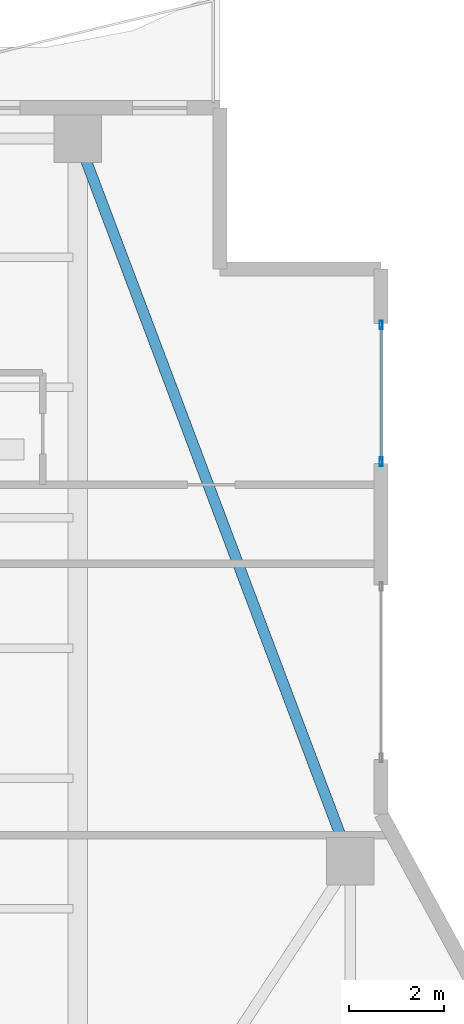
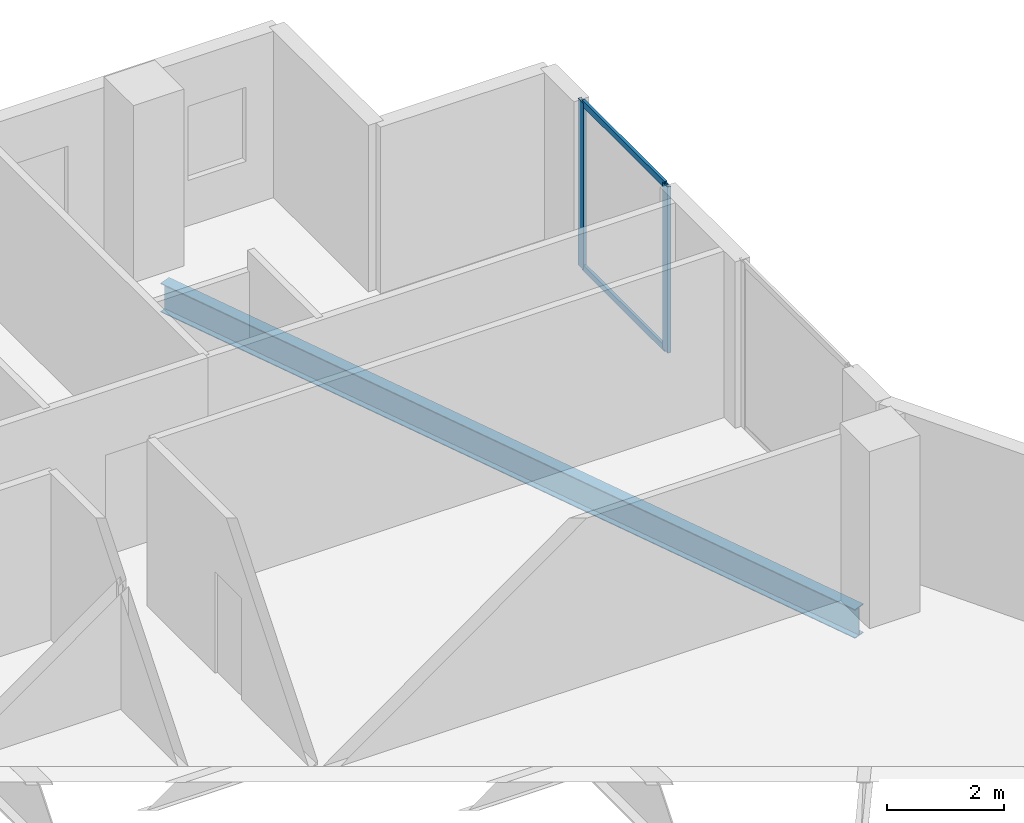
# One storey, part 15 of 23: 4 members, 1 beam, 1 element without a shape of its own.
"""IFC4 building model written with IfcOpenShell, lengths in metres."""

import ifcopenshell
import ifcopenshell.guid

model = None  # the IFC model being written
_history = None  # IfcOwnerHistory: only IFC2X3 demands one
_inside = {}  # id of a spatial element -> (the spatial element, [elements in it])
_under = {}  # id of a project, library or spatial element -> (it, [spatial elements below it])
_declared = {}  # id of a project -> (the project, [libraries it declares])
_typed = {}  # id of a type object -> (the type object, [elements of that type])
_made_of = {}  # id of a material, layer set ... -> (it, [elements and type objects made of it])


def new_model(schema):
    """Start an empty IFC model of exactly this schema.

    Asked for "IFC4X3", IfcOpenShell would pick the latest addendum, in which some entities
    have other attributes; the version numbers below select the first issue.
    IFC2X3 requires an IfcOwnerHistory on every rooted entity: one is made here for all.
    """
    global model, _history
    if schema == "IFC4X3":
        model = ifcopenshell.file(schema_version=(4, 3, 0, 0))
    else:
        model = ifcopenshell.file(schema=schema)
    _inside.clear()
    _under.clear()
    _declared.clear()
    _typed.clear()
    _made_of.clear()
    _history = None
    if model.schema == "IFC2X3":
        org = make("IfcOrganization", Name="unknown")
        user = make(
            "IfcPersonAndOrganization",
            ThePerson=make("IfcPerson", FamilyName="unknown"),
            TheOrganization=org,
        )
        app = make(
            "IfcApplication",
            ApplicationDeveloper=org,
            Version="unknown",
            ApplicationFullName="unknown",
            ApplicationIdentifier="unknown",
        )
        _history = make(
            "IfcOwnerHistory",
            OwningUser=user,
            OwningApplication=app,
            ChangeAction="ADDED",
            CreationDate=0,
        )
    return model


def make(cls, **values):
    """One entity of the class cls with the attributes given. An attribute that is None is left unset."""
    return model.create_entity(
        cls, **{name: value for name, value in values.items() if value is not None}
    )


def rooted(cls, **values):
    """An entity with a GlobalId (a new one), such as an element, a storey or a relation."""
    return make(cls, GlobalId=ifcopenshell.guid.new(), OwnerHistory=_history, **values)


def si_unit(unit_type, name, prefix=None):
    """IfcSIUnit, for example si_unit("LENGTHUNIT", "METRE", prefix="MILLI")."""
    return make("IfcSIUnit", UnitType=unit_type, Prefix=prefix, Name=name)


def assignment(units):
    """IfcUnitAssignment: the units of a project."""
    return None if units is None else make("IfcUnitAssignment", Units=units)


def point(xyz):
    """IfcCartesianPoint."""
    return None if xyz is None else make("IfcCartesianPoint", Coordinates=xyz)


def direction(xyz):
    """IfcDirection."""
    return None if xyz is None else make("IfcDirection", DirectionRatios=xyz)


def frame(location, z_axis=None, x_axis=None):
    """IfcAxis2Placement3D, a coordinate frame: its origin and axes. An axis left out is left unset."""
    return make(
        "IfcAxis2Placement3D",
        Location=point(location),
        Axis=direction(z_axis),
        RefDirection=direction(x_axis),
    )


def frame_2d(location, x_axis=None):
    """IfcAxis2Placement2D, a coordinate frame in the plane: its origin and x axis."""
    return make(
        "IfcAxis2Placement2D", Location=point(location), RefDirection=direction(x_axis)
    )


def origin():
    """The frame at (0, 0, 0) with its axes left unset."""
    return frame((0.0, 0.0, 0.0))


def origin_2d():
    """The frame at (0, 0) in the plane with its x axis left unset."""
    return frame_2d((0.0, 0.0))


def place(relative_to, where):
    """IfcLocalPlacement: puts the frame where relative to a parent placement (None: the world)."""
    return make(
        "IfcLocalPlacement", PlacementRelTo=relative_to, RelativePlacement=where
    )


def context(
    kind, dimensions, precision=None, world=None, true_north=None, identifier=None
):
    """IfcGeometricRepresentationContext, for example the 3D "Model" context."""
    return make(
        "IfcGeometricRepresentationContext",
        ContextIdentifier=identifier,
        ContextType=kind,
        CoordinateSpaceDimension=dimensions,
        Precision=precision,
        WorldCoordinateSystem=world,
        TrueNorth=true_north,
    )


def subcontext(parent, identifier, kind, view, scale=None):
    """IfcGeometricRepresentationSubContext, for example "Body" below "Model"."""
    return make(
        "IfcGeometricRepresentationSubContext",
        ContextIdentifier=identifier,
        ContextType=kind,
        ParentContext=parent,
        TargetScale=scale,
        TargetView=view,
    )


def project(units=None, contexts=None):
    """IfcProject with its units and contexts."""
    return rooted(
        "IfcProject",
        Name="project",
        RepresentationContexts=contexts,
        UnitsInContext=assignment(units),
    )


def spatial(cls, under=None, at=None, **own):
    """A site, building, storey or space (cls), placed at a placement, below another one or the project."""
    s = rooted(cls, ObjectPlacement=at, **own)
    if under is not None:
        _under.setdefault(under.id(), (under, []))[1].append(s)
    return s


def profile(cls, at=None, kind="AREA", **sizes):
    """A parametric profile (cls). Its sizes go by their IFC names, for example OverallWidth=200.0."""
    return make(cls, ProfileType=kind, Position=at, **sizes)


def hollow_rectangle(**sizes):
    """IfcRectangleHollowProfileDef."""
    return profile("IfcRectangleHollowProfileDef", **sizes)


def i_section(**sizes):
    """IfcIShapeProfileDef."""
    return profile("IfcIShapeProfileDef", **sizes)


def extrude(swept, where, along, depth):
    """IfcExtrudedAreaSolid: the profile swept, set in the frame where, extruded along a direction by depth."""
    return make(
        "IfcExtrudedAreaSolid",
        SweptArea=swept,
        Position=where,
        ExtrudedDirection=direction(along),
        Depth=depth,
    )


def shape(context_of_items, identifier, shape_type, items):
    """IfcShapeRepresentation: the items that make up one representation, for example the "Body"."""
    return make(
        "IfcShapeRepresentation",
        ContextOfItems=context_of_items,
        RepresentationIdentifier=identifier,
        RepresentationType=shape_type,
        Items=items,
    )


def material(Name=None, Category=None):
    """IfcMaterial."""
    return make("IfcMaterial", Name=Name, Category=Category)


def layer(
    of_material, thickness, ventilated=None, Name=None, Category=None, Priority=None
):
    """IfcMaterialLayer: one layer of a wall or slab, of a material (None: an air gap)."""
    return make(
        "IfcMaterialLayer",
        Material=of_material,
        LayerThickness=thickness,
        IsVentilated=ventilated,
        Name=Name,
        Category=Category,
        Priority=Priority,
    )


def layer_set(layers, Name=None):
    """IfcMaterialLayerSet."""
    return make("IfcMaterialLayerSet", MaterialLayers=layers, LayerSetName=Name)


def material_profile(
    of_material, cross_section, Name=None, Category=None, Priority=None
):
    """IfcMaterialProfile: a cross section and its material."""
    return make(
        "IfcMaterialProfile",
        Name=Name,
        Material=of_material,
        Profile=cross_section,
        Priority=Priority,
        Category=Category,
    )


def profile_set(profiles, Name=None, composite=None):
    """IfcMaterialProfileSet."""
    return make(
        "IfcMaterialProfileSet",
        Name=Name,
        MaterialProfiles=profiles,
        CompositeProfile=composite,
    )


def made_of(thing, what):
    """Note that an element or type object is made of a material, layer set ...; save() writes the relation."""
    if what is not None:
        _made_of.setdefault(what.id(), (what, []))[1].append(thing)
    return thing


def type_object(cls, material=None, **own):
    """A type object (cls), such as IfcWallType, which elements share."""
    return made_of(rooted(cls, **own), material)


def element(
    cls,
    number,
    at=None,
    inside=None,
    cuts=None,
    type_object=None,
    material=None,
    context=None,
    identifier="Body",
    shape_type=None,
    held_by="IfcProductDefinitionShape",
    body=None,
    shapes=None,
    **own,
):
    """One element of the class cls, such as IfcWall. Its Tag is "e" and its number.

    at: its placement. inside: the storey or other place that contains it. cuts: it is an
    opening in that element (IfcRelVoidsElement). A single representation is given by context,
    identifier, shape_type and body (its items); several are given by shapes. held_by: the class
    of the entity that holds the representations. save() writes the other relations.
    """
    e = rooted(cls, Tag="e%d" % number, ObjectPlacement=at, **own)
    if body is not None:
        shapes = [shape(context, identifier, shape_type, body)]
    if shapes is not None:
        e.Representation = make(held_by, Representations=shapes)
    if inside is not None:
        _inside.setdefault(inside.id(), (inside, []))[1].append(e)
    if cuts is not None:
        rooted(
            "IfcRelVoidsElement", RelatingBuildingElement=cuts, RelatedOpeningElement=e
        )
    if type_object is not None:
        _typed.setdefault(type_object.id(), (type_object, []))[1].append(e)
    return made_of(e, material)


def aggregate(whole, parts):
    """IfcRelAggregates: a whole, such as a stair, and the parts it consists of."""
    return rooted("IfcRelAggregates", RelatingObject=whole, RelatedObjects=parts)


def save(model, path):
    """Write the relations noted so far, then the file.

    IfcRelAggregates (storeys below a building ...), IfcRelContainedInSpatialStructure (elements
    in a storey), IfcRelDefinesByType, IfcRelAssociatesMaterial and IfcRelDeclares: one each for
    every whole, place, type object, material and project.
    """
    for whole, parts in _under.values():
        aggregate(whole, parts)
    for where, things in _inside.values():
        rooted(
            "IfcRelContainedInSpatialStructure",
            RelatedElements=things,
            RelatingStructure=where,
        )
    for kind, things in _typed.values():
        rooted("IfcRelDefinesByType", RelatedObjects=things, RelatingType=kind)
    for what, things in _made_of.values():
        rooted("IfcRelAssociatesMaterial", RelatedObjects=things, RelatingMaterial=what)
    for by, libraries in _declared.values():
        rooted("IfcRelDeclares", RelatingContext=by, RelatedDefinitions=libraries)
    model.write(path)


model = new_model("IFC4")

# Units and contexts
model_context = context("Model", 3, precision=1e-05, world=origin(), true_north=direction((0.0, 1.0)))
body_context = subcontext(model_context, "Body", "Model", "MODEL_VIEW")
ifc_project = project(units=[si_unit("LENGTHUNIT", "METRE"), si_unit("AREAUNIT", "SQUARE_METRE"), si_unit("VOLUMEUNIT", "CUBIC_METRE"), si_unit("PLANEANGLEUNIT", "RADIAN"), si_unit("MASSUNIT", "GRAM", prefix="KILO")], contexts=[model_context])

# Site, building, storey
site_placement = place(None, origin())
site = spatial("IfcSite", under=ifc_project, at=site_placement, CompositionType="ELEMENT")
building_placement = place(site_placement, origin())
building = spatial("IfcBuilding", under=site, at=building_placement, Name="Zuhayl Quay Hotel", CompositionType="ELEMENT")
storey_placement = place(building_placement, frame((0.0, 0.0, 272.949951171875)))
storey = spatial("IfcBuildingStorey", under=building, at=storey_placement, Name="L69", CompositionType="ELEMENT", Elevation=272.949951171875)

# Beam
ifc_material_1 = material(Name="Steel ASTM A992 Grade 50", Category="steel")
ifc_material_profile_1 = material_profile(ifc_material_1, i_section(OverallWidth=0.22802734375, OverallDepth=0.60693359375, WebThickness=0.01123046875, FlangeThickness=0.017333984375, at=origin_2d()), Name="W24X76")
ifc_profile_set_1 = profile_set([ifc_material_profile_1], Name="Steel ASTM A992 Grade 50")
beam_type = type_object("IfcBeamType", Name="BM_B3_W24X76", PredefinedType="BEAM", material=ifc_profile_set_1)
beam_placement = place(storey_placement, frame((19.3876953125, 23.530517578125, -0.5234375), z_axis=(-0.352796603103, 0.935700035716, 0.0), x_axis=(-0.935700035716, -0.352796603103, 0.0)))
element("IfcBeam", 1, at=beam_placement, inside=storey, type_object=beam_type, Name="L69 Floor Beam RG_L69_06", PredefinedType="BEAM", context=body_context, shape_type="SweptSolid", body=[
    extrude(i_section(OverallWidth=0.22802734375, OverallDepth=0.60693359375, WebThickness=0.01123046875, FlangeThickness=0.017333984375, at=origin_2d()), origin(), (0.0, 0.0, 1.0), 15.3779296875),
])

# Curtain wall, members
ifc_material_2 = material(Name="Anodised Aluminium 6063-T6", Category="aluminium")
ifc_layer = layer(ifc_material_2, 0.169921875, Name="Anodised Aluminium 6063-T6", Category="aluminium")
ifc_layer_set = layer_set([ifc_layer], Name="Anodised Aluminium 6063-T6")
curtain_wall_type = type_object("IfcCurtainWallType", Name="CW_SYS_Z4", PredefinedType="USERDEFINED", material=ifc_layer_set)
curtain_wall_placement = place(storey_placement, origin())
curtain_wall = element("IfcCurtainWall", 2, at=curtain_wall_placement, inside=storey, type_object=curtain_wall_type, Name="L69 Curtain Wall ENV_L69_E11_CW1", ObjectType="UNITISED CURTAIN WALL", PredefinedType="USERDEFINED")
ifc_material_3 = material(Name="Black-anodised aluminium 6063-T6", Category="aluminium")
ifc_material_profile_2 = material_profile(ifc_material_3, hollow_rectangle(XDim=0.06494140625, YDim=0.179931640625, WallThickness=0.00341796875, at=origin_2d()), Name="ALU180X65")
ifc_profile_set_2 = profile_set([ifc_material_profile_2], Name="Black-anodised aluminium 6063-T6")
member_type_1 = type_object("IfcMemberType", Name="MB_CW_MUL_180", PredefinedType="MULLION", material=ifc_profile_set_2)
member_1_placement = place(storey_placement, frame((20.199951171875, 34.41748046875, 0.0), z_axis=(0.0, 0.0, 1.0), x_axis=(1.0, 0.0, 0.0)))
member_1 = element("IfcMember", 3, at=member_1_placement, type_object=member_type_1, Name="CW-Z4 mullion 1", PredefinedType="MULLION", context=body_context, shape_type="SweptSolid", body=[
    extrude(hollow_rectangle(XDim=0.06494140625, YDim=0.179931640625, WallThickness=0.00341796875, at=origin_2d()), origin(), (0.0, 0.0, 1.0), 3.47998046875),
])
member_2_placement = place(storey_placement, frame((20.199951171875, 31.532470703125, 0.0), z_axis=(0.0, 0.0, 1.0), x_axis=(1.0, 0.0, 0.0)))
member_2 = element("IfcMember", 4, at=member_2_placement, type_object=member_type_1, Name="CW-Z4 mullion 2", PredefinedType="MULLION", context=body_context, shape_type="SweptSolid", body=[
    extrude(hollow_rectangle(XDim=0.06494140625, YDim=0.179931640625, WallThickness=0.00341796875, at=origin_2d()), origin(), (0.0, 0.0, 1.0), 3.47998046875),
])
ifc_material_profile_3 = material_profile(ifc_material_3, hollow_rectangle(XDim=0.054931640625, YDim=0.1298828125, WallThickness=0.0029296875, at=origin_2d()), Name="ALU130X55")
ifc_profile_set_3 = profile_set([ifc_material_profile_3], Name="Black-anodised aluminium 6063-T6")
member_type_2 = type_object("IfcMemberType", Name="MB_CW_TRN_130", PredefinedType="USERDEFINED", material=ifc_profile_set_3)
member_3_placement = place(storey_placement, frame((20.199951171875, 34.385009765625, 0.027587890625), z_axis=(0.0, -1.0, 0.0), x_axis=(1.0, 0.0, 0.0)))
member_3 = element("IfcMember", 5, at=member_3_placement, type_object=member_type_2, Name="CW-Z4 transom 1.1", ObjectType="TRANSOM", PredefinedType="USERDEFINED", context=body_context, shape_type="SweptSolid", body=[
    extrude(hollow_rectangle(XDim=0.054931640625, YDim=0.1298828125, WallThickness=0.0029296875, at=origin_2d()), origin(), (0.0, 0.0, 1.0), 2.820068359375),
])
member_4_placement = place(storey_placement, frame((20.199951171875, 34.385009765625, 3.45263671875), z_axis=(0.0, -1.0, 0.0), x_axis=(1.0, 0.0, 0.0)))
member_4 = element("IfcMember", 6, at=member_4_placement, type_object=member_type_2, Name="CW-Z4 transom 1.2", ObjectType="TRANSOM", PredefinedType="USERDEFINED", context=body_context, shape_type="SweptSolid", body=[
    extrude(hollow_rectangle(XDim=0.054931640625, YDim=0.1298828125, WallThickness=0.0029296875, at=origin_2d()), origin(), (0.0, 0.0, 1.0), 2.820068359375),
])
aggregate(curtain_wall, [member_1, member_2, member_3, member_4])

save(model, "model.ifc")
